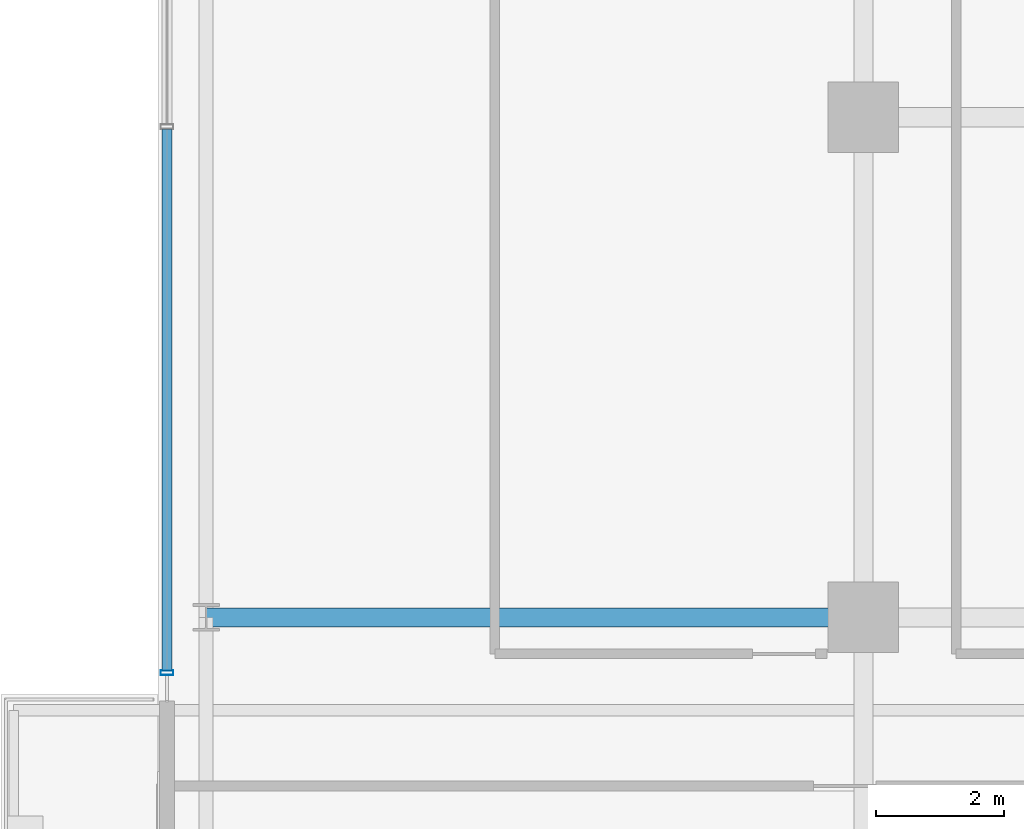
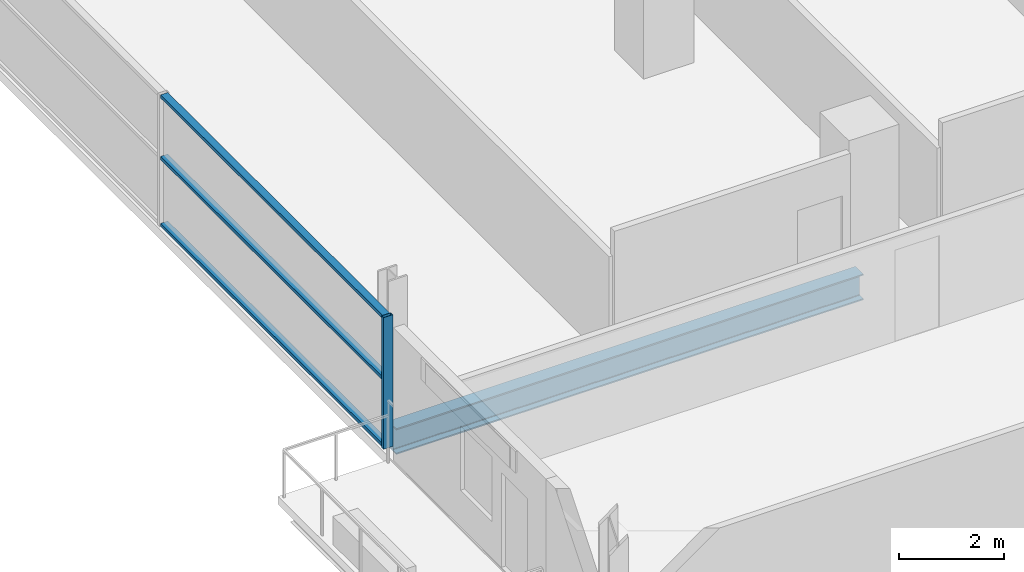
# One storey, part 5 of 30: 4 members, 1 beam, 1 element without a shape of its own.
"""IFC4 building model written with IfcOpenShell, lengths in metres."""

from ifc_helpers import new_model, si_unit, direction, frame, origin, origin_2d, place, context, subcontext, project, spatial, hollow_rectangle, i_section, extrude, source, transform, mapped, material, layer, layer_set, material_profile, profile_set, type_object, element, aggregate, save


model = new_model("IFC4")

# Units and contexts
model_context = context("Model", 3, precision=1e-05, world=origin(), true_north=direction((0.0, 1.0)))
body_context = subcontext(model_context, "Body", "Model", "MODEL_VIEW")
ifc_project = project(units=[si_unit("LENGTHUNIT", "METRE"), si_unit("AREAUNIT", "SQUARE_METRE"), si_unit("VOLUMEUNIT", "CUBIC_METRE"), si_unit("PLANEANGLEUNIT", "RADIAN"), si_unit("MASSUNIT", "GRAM", prefix="KILO")], contexts=[model_context])

# Site, building, storey
site_placement = place(None, origin())
site = spatial("IfcSite", under=ifc_project, at=site_placement, CompositionType="ELEMENT")
building_placement = place(site_placement, origin())
building = spatial("IfcBuilding", under=site, at=building_placement, Name="Zarnakvel Exchange Tower", CompositionType="ELEMENT")
storey_placement = place(building_placement, frame((0.0, 0.0, 40.60009765625)))
storey = spatial("IfcBuildingStorey", under=building, at=storey_placement, Name="L10", CompositionType="ELEMENT", Elevation=40.60009765625)

# Beam
ifc_material_1 = material(Name="Steel S355", Category="steel")
ifc_material_profile_1 = material_profile(ifc_material_1, i_section(OverallWidth=0.300048828125, OverallDepth=0.60009765625, WebThickness=0.015380859375, FlangeThickness=0.030029296875, FilletRadius=0.027099609375, at=origin_2d()))
ifc_profile_set_1 = profile_set([ifc_material_profile_1], Name="Steel S355")
beam_type = type_object("IfcBeamType", Name="G-04", PredefinedType="BEAM", material=ifc_profile_set_1)
beam_placement = place(storey_placement, frame((-31.85009765625, -1.199951171875, -0.525146484375), z_axis=(1.0, 0.0, 0.0), x_axis=(0.0, 1.0, 0.0)))
element("IfcBeam", 1, at=beam_placement, inside=storey, type_object=beam_type, Name="L10 Tower E-W Frame Beam", PredefinedType="BEAM", context=body_context, shape_type="SweptSolid", body=[
    extrude(i_section(OverallWidth=0.300048828125, OverallDepth=0.60009765625, WebThickness=0.015380859375, FlangeThickness=0.030029296875, FilletRadius=0.027099609375, at=origin_2d()), origin(), (0.0, 0.0, 1.0), 10.25),
])

# Curtain wall, members
ifc_material_2 = material(Name="Architectural Bronze Anodised Aluminium", Category="aluminium")
ifc_layer = layer(ifc_material_2, 0.199951171875)
ifc_layer_set = layer_set([ifc_layer], Name="Architectural Bronze Anodised Aluminium")
curtain_wall_type = type_object("IfcCurtainWallType", Name="CW-04", PredefinedType="NOTDEFINED", material=ifc_layer_set)
curtain_wall_placement = place(storey_placement, origin())
curtain_wall = element("IfcCurtainWall", 2, at=curtain_wall_placement, inside=storey, type_object=curtain_wall_type, Name="L10 Curtain Wall CW-L10-WN (CW-04)", PredefinedType="NOTDEFINED")
ifc_material_profile_2 = material_profile(ifc_material_2, hollow_rectangle(XDim=0.159912109375, YDim=0.074951171875, WallThickness=0.00390625, at=origin_2d()))
ifc_profile_set_2 = profile_set([ifc_material_profile_2], Name="Architectural Bronze Anodised Aluminium")
member_type_1 = type_object("IfcMemberType", Name="CWT-04", PredefinedType="USERDEFINED", material=ifc_profile_set_2)
shared_shape_1 = source(origin(), body_context, "Body", "SweptSolid", [
    extrude(hollow_rectangle(XDim=0.159912109375, YDim=0.074951171875, WallThickness=0.00390625, at=origin_2d()), origin(), (0.0, 0.0, 1.0), 8.4375),
])
member_1_placement = place(storey_placement, frame((-32.4599609375, -2.02490234375, 0.037353515625), z_axis=(0.0, 1.0, 0.0), x_axis=(-1.0, 0.0, 0.0)))
member_1 = element("IfcMember", 3, at=member_1_placement, type_object=member_type_1, Name="CW-04 transom 1.1", ObjectType="TRANSOM", PredefinedType="USERDEFINED", context=body_context, shape_type="MappedRepresentation", body=[
    mapped(shared_shape_1, transform((0.0, 0.0, 0.0), x_axis=(1.0, 0.0, 0.0), y_axis=(0.0, 1.0, 0.0), z_axis=(0.0, 0.0, 1.0), scale=1.0)),
])
member_2_placement = place(storey_placement, frame((-32.4599609375, -2.02490234375, 1.588623046875), z_axis=(0.0, 1.0, 0.0), x_axis=(-1.0, 0.0, 0.0)))
member_2 = element("IfcMember", 4, at=member_2_placement, type_object=member_type_1, Name="CW-04 transom 1.2", ObjectType="TRANSOM", PredefinedType="USERDEFINED", context=body_context, shape_type="MappedRepresentation", body=[
    mapped(shared_shape_1, transform((0.0, 0.0, 0.0), x_axis=(1.0, 0.0, 0.0), y_axis=(0.0, 1.0, 0.0), z_axis=(0.0, 0.0, 1.0), scale=1.0)),
])
member_3_placement = place(storey_placement, frame((-32.4599609375, -2.02490234375, 3.017333984375), z_axis=(0.0, 1.0, 0.0), x_axis=(-1.0, 0.0, 0.0)))
member_3 = element("IfcMember", 5, at=member_3_placement, type_object=member_type_1, Name="CW-04 transom 1.3", ObjectType="TRANSOM", PredefinedType="USERDEFINED", context=body_context, shape_type="MappedRepresentation", body=[
    mapped(shared_shape_1, transform((0.0, 0.0, 0.0), x_axis=(1.0, 0.0, 0.0), y_axis=(0.0, 1.0, 0.0), z_axis=(0.0, 0.0, 1.0), scale=1.0)),
])
ifc_material_profile_3 = material_profile(ifc_material_2, hollow_rectangle(XDim=0.199951171875, YDim=0.074951171875, WallThickness=0.0048828125, at=origin_2d()))
ifc_profile_set_3 = profile_set([ifc_material_profile_3], Name="Architectural Bronze Anodised Aluminium")
member_type_2 = type_object("IfcMemberType", Name="CWM-04", PredefinedType="MULLION", material=ifc_profile_set_3)
shared_shape_2 = source(origin(), body_context, "Body", "SweptSolid", [
    extrude(hollow_rectangle(XDim=0.199951171875, YDim=0.074951171875, WallThickness=0.0048828125, at=origin_2d()), origin(), (0.0, 0.0, 1.0), 3.054931640625),
])
member_4_placement = place(storey_placement, frame((-32.4599609375, -2.0625, 0.0), z_axis=(0.0, 0.0, 1.0), x_axis=(-1.0, 0.0, 0.0)))
member_4 = element("IfcMember", 6, at=member_4_placement, type_object=member_type_2, Name="CW-04 mullion 1", PredefinedType="MULLION", context=body_context, shape_type="MappedRepresentation", body=[
    mapped(shared_shape_2, transform((0.0, 0.0, 0.0), x_axis=(1.0, 0.0, 0.0), y_axis=(0.0, 1.0, 0.0), z_axis=(0.0, 0.0, 1.0), scale=1.0)),
])
aggregate(curtain_wall, [member_4, member_1, member_2, member_3])

save(model, "model.ifc")
